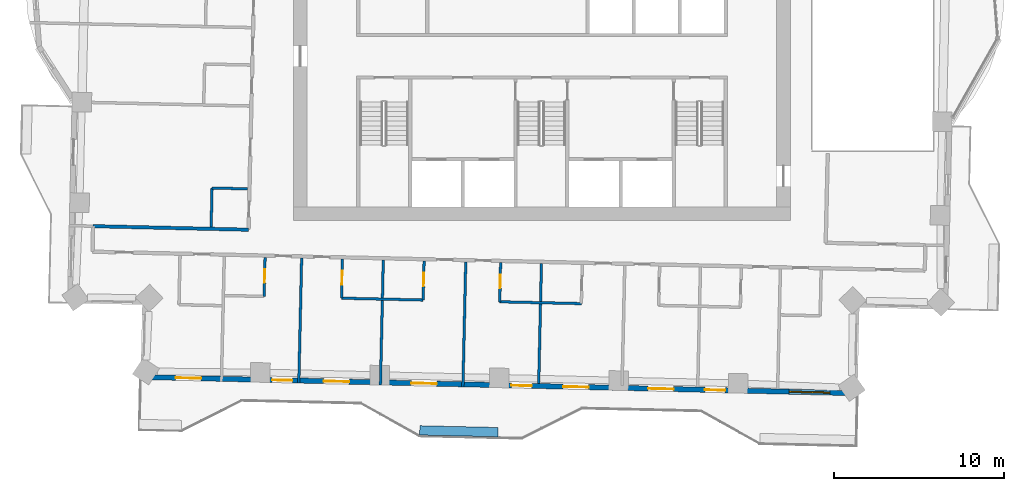
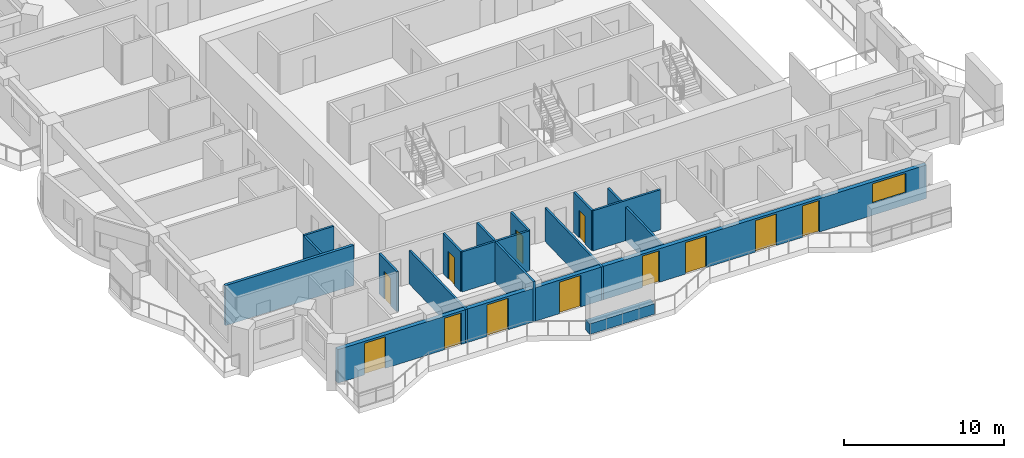
# One storey, part 6 of 16: 15 walls, 12 doors, 1 window, 13 openings.
"""IFC4 building model written with IfcOpenShell, lengths in metres."""

from ifc_helpers import new_model, si_unit, direction, frame, frame_2d, origin, place, context, subcontext, project, spatial, rectangle, extrude, material, layer, layer_set, type_object, element, fill, save


model = new_model("IFC4")

# Units and contexts
model_context = context("Model", 3, precision=1e-05, world=origin(), true_north=direction((0.0, 1.0)))
body_context = subcontext(model_context, "Body", "Model", "MODEL_VIEW")
ifc_project = project(units=[si_unit("LENGTHUNIT", "METRE"), si_unit("AREAUNIT", "SQUARE_METRE"), si_unit("VOLUMEUNIT", "CUBIC_METRE"), si_unit("PLANEANGLEUNIT", "RADIAN"), si_unit("MASSUNIT", "GRAM", prefix="KILO")], contexts=[model_context])

# Site, building, storey
site_placement = place(None, origin())
site = spatial("IfcSite", under=ifc_project, at=site_placement, CompositionType="ELEMENT")
building_placement = place(site_placement, origin())
building = spatial("IfcBuilding", under=site, at=building_placement, Name="Mangrove Gate Tower", CompositionType="ELEMENT")
storey_placement = place(building_placement, frame((0.0, 0.0, 201.5)))
storey = spatial("IfcBuildingStorey", under=building, at=storey_placement, Name="L51", CompositionType="ELEMENT", Elevation=201.5)

# Wall
ifc_material_1 = material(Name="Gypsum board on steel stud, EI 60", Category="steel")
ifc_layer_1 = layer(ifc_material_1, 0.199951171875)
ifc_layer_set_1 = layer_set([ifc_layer_1], Name="Corridor wall EI 60")
wall_type_1 = type_object("IfcWallType", Name="Corridor wall EI 60", PredefinedType="PARTITIONING", material=ifc_layer_set_1)
wall_1_placement = place(storey_placement, frame((-26.386962890625, -11.94091796875, 0.0), z_axis=(0.0, 0.0, 1.0), x_axis=(0.999741076645, -0.022754772455, 0.0)))
element("IfcWall", 1, at=wall_1_placement, inside=storey, type_object=wall_type_1, Name="WALL-L51-028", PredefinedType="PARTITIONING", context=body_context, shape_type="SweptSolid", body=[
    extrude(rectangle(XDim=9.141357421875, YDim=0.199951171875, at=frame_2d((4.57080078125, 0.0))), origin(), (0.0, 0.0, 1.0), 3.050048828125),
])

# Wall, openings, doors, window
ifc_material_2 = material(Name="Limestone", Category="masonry")
ifc_layer_2 = layer(ifc_material_2, 0.0400390625, Name="Limestone cladding")
ifc_material_3 = material(Name="Ventilated air gap")
ifc_layer_3 = layer(ifc_material_3, 0.0400390625, Name="Ventilated cavity")
ifc_material_4 = material(Name="Mineral wool insulation")
ifc_layer_4 = layer(ifc_material_4, 0.06005859375, Name="Insulation")
ifc_material_5 = material(Name="Breather membrane")
ifc_layer_5 = layer(ifc_material_5, 0.001953125, Name="Breather membrane")
ifc_material_6 = material(Name="Concrete C20/25 blockwork", Category="masonry")
ifc_layer_6 = layer(ifc_material_6, 0.14990234375, Name="Blockwork backing wall")
ifc_material_7 = material(Name="Gypsum plaster")
ifc_layer_7 = layer(ifc_material_7, 0.008056640625, Name="Internal plaster")
ifc_layer_set_2 = layer_set([ifc_layer_2, ifc_layer_3, ifc_layer_4, ifc_layer_5, ifc_layer_6, ifc_layer_7], Name="External wall 300 limestone cladding")
wall_type_2 = type_object("IfcWallType", Name="External wall 300 limestone cladding", PredefinedType="SOLIDWALL", material=ifc_layer_set_2)
wall_2_placement = place(storey_placement, frame((-23.43701171875, -20.81005859375, 0.0), z_axis=(0.0, 0.0, 1.0), x_axis=(0.999742269115, -0.022702320244, 0.0)))
wall_2 = element("IfcWall", 2, at=wall_2_placement, inside=storey, type_object=wall_type_2, Name="WALL-L51-S13", PredefinedType="SOLIDWALL", context=body_context, shape_type="SweptSolid", body=[
    extrude(rectangle(XDim=41.84375, YDim=0.300048828125, at=frame_2d((20.921875, 0.0))), origin(), (0.0, 0.0, 1.0), 2.550048828125),
])
opening_1_placement = place(wall_2_placement, frame((1.89892578125, 0.0, 0.0)))
opening_1 = element("IfcOpeningElement", 3, at=opening_1_placement, cuts=wall_2, Name="Opening BD1", PredefinedType="OPENING", context=body_context, shape_type="SweptSolid", body=[
    extrude(rectangle(XDim=1.5, YDim=2.39990234375, at=frame_2d((0.75, 1.199951171875))), frame((0.0, 0.159912109375, 0.0), z_axis=(0.0, -1.0, 0.0), x_axis=(1.0, 0.0, 0.0)), (0.0, 0.0, 1.0), 0.320068359375),
])
opening_2_placement = place(wall_2_placement, frame((7.574951171875, 0.0, 0.0)))
opening_2 = element("IfcOpeningElement", 4, at=opening_2_placement, cuts=wall_2, Name="Opening BD2", PredefinedType="OPENING", context=body_context, shape_type="SweptSolid", body=[
    extrude(rectangle(XDim=1.199951171875, YDim=2.39990234375, at=frame_2d((0.60009765625, 1.199951171875))), frame((0.0, 0.159912109375, 0.0), z_axis=(0.0, -1.0, 0.0), x_axis=(1.0, 0.0, 0.0)), (0.0, 0.0, 1.0), 0.320068359375),
])
opening_3_placement = place(wall_2_placement, frame((10.612060546875, 0.0, 0.0)))
opening_3 = element("IfcOpeningElement", 5, at=opening_3_placement, cuts=wall_2, Name="Opening BD1", PredefinedType="OPENING", context=body_context, shape_type="SweptSolid", body=[
    extrude(rectangle(XDim=1.5, YDim=2.39990234375, at=frame_2d((0.75, 1.199951171875))), frame((0.0, 0.159912109375, 0.0), z_axis=(0.0, -1.0, 0.0), x_axis=(1.0, 0.0, 0.0)), (0.0, 0.0, 1.0), 0.320068359375),
])
opening_4_placement = place(wall_2_placement, frame((15.761962890625, 0.0, 0.0)))
opening_4 = element("IfcOpeningElement", 6, at=opening_4_placement, cuts=wall_2, Name="Opening BD1", PredefinedType="OPENING", context=body_context, shape_type="SweptSolid", body=[
    extrude(rectangle(XDim=1.5, YDim=2.39990234375, at=frame_2d((0.75, 1.199951171875))), frame((0.0, 0.159912109375, 0.0), z_axis=(0.0, -1.0, 0.0), x_axis=(1.0, 0.0, 0.0)), (0.0, 0.0, 1.0), 0.320068359375),
])
opening_5_placement = place(wall_2_placement, frame((21.64794921875, 0.0, 0.0)))
opening_5 = element("IfcOpeningElement", 7, at=opening_5_placement, cuts=wall_2, Name="Opening BD2", PredefinedType="OPENING", context=body_context, shape_type="SweptSolid", body=[
    extrude(rectangle(XDim=1.199951171875, YDim=2.39990234375, at=frame_2d((0.60009765625, 1.199951171875))), frame((0.0, 0.159912109375, 0.0), z_axis=(0.0, -1.0, 0.0), x_axis=(1.0, 0.0, 0.0)), (0.0, 0.0, 1.0), 0.320068359375),
])
opening_6_placement = place(wall_2_placement, frame((24.68505859375, 0.0, 0.0)))
opening_6 = element("IfcOpeningElement", 8, at=opening_6_placement, cuts=wall_2, Name="Opening BD1", PredefinedType="OPENING", context=body_context, shape_type="SweptSolid", body=[
    extrude(rectangle(XDim=1.5, YDim=2.39990234375, at=frame_2d((0.75, 1.199951171875))), frame((0.0, 0.159912109375, 0.0), z_axis=(0.0, -1.0, 0.0), x_axis=(1.0, 0.0, 0.0)), (0.0, 0.0, 1.0), 0.320068359375),
])
opening_7_placement = place(wall_2_placement, frame((29.68505859375, 0.0, 0.0)))
opening_7 = element("IfcOpeningElement", 9, at=opening_7_placement, cuts=wall_2, Name="Opening BD1", PredefinedType="OPENING", context=body_context, shape_type="SweptSolid", body=[
    extrude(rectangle(XDim=1.5, YDim=2.39990234375, at=frame_2d((0.75, 1.199951171875))), frame((0.0, 0.159912109375, 0.0), z_axis=(0.0, -1.0, 0.0), x_axis=(1.0, 0.0, 0.0)), (0.0, 0.0, 1.0), 0.320068359375),
])
opening_8_placement = place(wall_2_placement, frame((33.02197265625, 0.0, 0.0)))
opening_8 = element("IfcOpeningElement", 10, at=opening_8_placement, cuts=wall_2, Name="Opening BD2", PredefinedType="OPENING", context=body_context, shape_type="SweptSolid", body=[
    extrude(rectangle(XDim=1.199951171875, YDim=2.39990234375, at=frame_2d((0.60009765625, 1.199951171875))), frame((0.0, 0.159912109375, 0.0), z_axis=(0.0, -1.0, 0.0), x_axis=(1.0, 0.0, 0.0)), (0.0, 0.0, 1.0), 0.320068359375),
])
opening_9_placement = place(wall_2_placement, frame((37.97412109375, 0.0, 0.89990234375)))
opening_9 = element("IfcOpeningElement", 11, at=opening_9_placement, cuts=wall_2, Name="Opening W2", PredefinedType="OPENING", context=body_context, shape_type="SweptSolid", body=[
    extrude(rectangle(XDim=2.39990234375, YDim=1.5, at=frame_2d((1.199951171875, 0.75))), frame((0.0, 0.159912109375, 0.0), z_axis=(0.0, -1.0, 0.0), x_axis=(1.0, 0.0, 0.0)), (0.0, 0.0, 1.0), 0.320068359375),
])
ifc_material_8 = material(Name="Aluminium frame with laminated clear glass", Category="aluminium")
door_type_1 = type_object("IfcDoorType", Name="Balcony sliding door 1200x2400", OperationType="SLIDING_TO_LEFT", PredefinedType="DOOR", material=ifc_material_8)
door_1_placement = place(opening_2_placement, origin())
door_1 = element("IfcDoor", 12, at=door_1_placement, inside=storey, type_object=door_type_1, Name="DOOR-L51-S13-2", OperationType="SLIDING_TO_LEFT", OverallHeight=2.39990234375, OverallWidth=1.199951171875, PredefinedType="DOOR", context=body_context, shape_type="SweptSolid", body=[
    extrude(rectangle(XDim=1.199951171875, YDim=2.39990234375, at=frame_2d((0.60009765625, 1.199951171875))), frame((0.0, 0.02490234375, 0.0), z_axis=(0.0, -1.0, 0.0), x_axis=(1.0, 0.0, 0.0)), (0.0, 0.0, 1.0), 0.050048828125),
])
fill(opening_2, door_1)
door_2_placement = place(opening_5_placement, origin())
door_2 = element("IfcDoor", 13, at=door_2_placement, inside=storey, type_object=door_type_1, Name="DOOR-L51-S13-5", OperationType="SLIDING_TO_LEFT", OverallHeight=2.39990234375, OverallWidth=1.199951171875, PredefinedType="DOOR", context=body_context, shape_type="SweptSolid", body=[
    extrude(rectangle(XDim=1.199951171875, YDim=2.39990234375, at=frame_2d((0.60009765625, 1.199951171875))), frame((0.0, 0.02490234375, 0.0), z_axis=(0.0, -1.0, 0.0), x_axis=(1.0, 0.0, 0.0)), (0.0, 0.0, 1.0), 0.050048828125),
])
fill(opening_5, door_2)
door_3_placement = place(opening_8_placement, origin())
door_3 = element("IfcDoor", 14, at=door_3_placement, inside=storey, type_object=door_type_1, Name="DOOR-L51-S13-8", OperationType="SLIDING_TO_LEFT", OverallHeight=2.39990234375, OverallWidth=1.199951171875, PredefinedType="DOOR", context=body_context, shape_type="SweptSolid", body=[
    extrude(rectangle(XDim=1.199951171875, YDim=2.39990234375, at=frame_2d((0.60009765625, 1.199951171875))), frame((0.0, 0.02490234375, 0.0), z_axis=(0.0, -1.0, 0.0), x_axis=(1.0, 0.0, 0.0)), (0.0, 0.0, 1.0), 0.050048828125),
])
fill(opening_8, door_3)
ifc_material_9 = material(Name="Aluminium frame with laminated clear glass", Category="aluminium")
door_type_2 = type_object("IfcDoorType", Name="Balcony sliding door 1500x2400", OperationType="SLIDING_TO_LEFT", PredefinedType="DOOR", material=ifc_material_9)
door_4_placement = place(opening_1_placement, origin())
door_4 = element("IfcDoor", 15, at=door_4_placement, inside=storey, type_object=door_type_2, Name="DOOR-L51-S13-1", OperationType="SLIDING_TO_LEFT", OverallHeight=2.39990234375, OverallWidth=1.5, PredefinedType="DOOR", context=body_context, shape_type="SweptSolid", body=[
    extrude(rectangle(XDim=1.5, YDim=2.39990234375, at=frame_2d((0.75, 1.199951171875))), frame((0.0, 0.02490234375, 0.0), z_axis=(0.0, -1.0, 0.0), x_axis=(1.0, 0.0, 0.0)), (0.0, 0.0, 1.0), 0.050048828125),
])
fill(opening_1, door_4)
door_5_placement = place(opening_3_placement, origin())
door_5 = element("IfcDoor", 16, at=door_5_placement, inside=storey, type_object=door_type_2, Name="DOOR-L51-S13-3", OperationType="SLIDING_TO_LEFT", OverallHeight=2.39990234375, OverallWidth=1.5, PredefinedType="DOOR", context=body_context, shape_type="SweptSolid", body=[
    extrude(rectangle(XDim=1.5, YDim=2.39990234375, at=frame_2d((0.75, 1.199951171875))), frame((0.0, 0.02490234375, 0.0), z_axis=(0.0, -1.0, 0.0), x_axis=(1.0, 0.0, 0.0)), (0.0, 0.0, 1.0), 0.050048828125),
])
fill(opening_3, door_5)
door_6_placement = place(opening_4_placement, origin())
door_6 = element("IfcDoor", 17, at=door_6_placement, inside=storey, type_object=door_type_2, Name="DOOR-L51-S13-4", OperationType="SLIDING_TO_LEFT", OverallHeight=2.39990234375, OverallWidth=1.5, PredefinedType="DOOR", context=body_context, shape_type="SweptSolid", body=[
    extrude(rectangle(XDim=1.5, YDim=2.39990234375, at=frame_2d((0.75, 1.199951171875))), frame((0.0, 0.02490234375, 0.0), z_axis=(0.0, -1.0, 0.0), x_axis=(1.0, 0.0, 0.0)), (0.0, 0.0, 1.0), 0.050048828125),
])
fill(opening_4, door_6)
door_7_placement = place(opening_6_placement, origin())
door_7 = element("IfcDoor", 18, at=door_7_placement, inside=storey, type_object=door_type_2, Name="DOOR-L51-S13-6", OperationType="SLIDING_TO_LEFT", OverallHeight=2.39990234375, OverallWidth=1.5, PredefinedType="DOOR", context=body_context, shape_type="SweptSolid", body=[
    extrude(rectangle(XDim=1.5, YDim=2.39990234375, at=frame_2d((0.75, 1.199951171875))), frame((0.0, 0.02490234375, 0.0), z_axis=(0.0, -1.0, 0.0), x_axis=(1.0, 0.0, 0.0)), (0.0, 0.0, 1.0), 0.050048828125),
])
fill(opening_6, door_7)
door_8_placement = place(opening_7_placement, origin())
door_8 = element("IfcDoor", 19, at=door_8_placement, inside=storey, type_object=door_type_2, Name="DOOR-L51-S13-7", OperationType="SLIDING_TO_LEFT", OverallHeight=2.39990234375, OverallWidth=1.5, PredefinedType="DOOR", context=body_context, shape_type="SweptSolid", body=[
    extrude(rectangle(XDim=1.5, YDim=2.39990234375, at=frame_2d((0.75, 1.199951171875))), frame((0.0, 0.02490234375, 0.0), z_axis=(0.0, -1.0, 0.0), x_axis=(1.0, 0.0, 0.0)), (0.0, 0.0, 1.0), 0.050048828125),
])
fill(opening_7, door_8)
ifc_material_10 = material(Name="Aluminium frame with double-glazed low-e glass", Category="aluminium")
window_type = type_object("IfcWindowType", Name="Corner room window 2400x1500", PartitioningType="DOUBLE_PANEL_VERTICAL", PredefinedType="WINDOW", material=ifc_material_10)
window_placement = place(opening_9_placement, origin())
window = element("IfcWindow", 20, at=window_placement, inside=storey, type_object=window_type, Name="WIN-L51-S13-9", OverallHeight=1.5, OverallWidth=2.39990234375, PartitioningType="DOUBLE_PANEL_VERTICAL", PredefinedType="WINDOW", context=body_context, shape_type="SweptSolid", body=[
    extrude(rectangle(XDim=2.39990234375, YDim=1.5, at=frame_2d((1.199951171875, 0.75))), frame((0.0, 0.030029296875, 0.0), z_axis=(0.0, -1.0, 0.0), x_axis=(1.0, 0.0, 0.0)), (0.0, 0.0, 1.0), 0.06005859375),
])
fill(opening_9, window)

# Walls
ifc_material_11 = material(Name="Gypsum board on steel stud, EI 60", Category="steel")
ifc_layer_8 = layer(ifc_material_11, 0.14990234375)
ifc_layer_set_3 = layer_set([ifc_layer_8], Name="Party wall 150 EI 60")
wall_type_3 = type_object("IfcWallType", Name="Party wall 150 EI 60", PredefinedType="PARTITIONING", material=ifc_layer_set_3)
wall_3_placement = place(storey_placement, frame((-14.291015625, -21.16796875, 0.0), z_axis=(0.0, 0.0, 1.0), x_axis=(0.022720650804, 0.999741852694, 0.0)))
element("IfcWall", 21, at=wall_3_placement, inside=storey, type_object=wall_type_3, Name="WALL-L51-002", PredefinedType="PARTITIONING", context=body_context, shape_type="SweptSolid", body=[
    extrude(rectangle(XDim=7.349853515625, YDim=0.14990234375, at=frame_2d((3.6748046875, 0.0))), origin(), (0.0, 0.0, 1.0), 2.550048828125),
])
wall_4_placement = place(storey_placement, frame((-9.491943359375, -21.277099609375, 0.0), z_axis=(0.0, 0.0, 1.0), x_axis=(0.022719896304, 0.99974186984, 0.0)))
element("IfcWall", 22, at=wall_4_placement, inside=storey, type_object=wall_type_3, Name="WALL-L51-003", PredefinedType="PARTITIONING", context=body_context, shape_type="SweptSolid", body=[
    extrude(rectangle(XDim=7.35009765625, YDim=0.14990234375, at=frame_2d((3.675048828125, 0.0))), origin(), (0.0, 0.0, 1.0), 3.050048828125),
])
wall_5_placement = place(storey_placement, frame((-4.64306640625, -21.386962890625, 0.0), z_axis=(0.0, 0.0, 1.0), x_axis=(0.022587849492, 0.99974486198, 0.0)))
element("IfcWall", 23, at=wall_5_placement, inside=storey, type_object=wall_type_3, Name="WALL-L51-004", PredefinedType="PARTITIONING", context=body_context, shape_type="SweptSolid", body=[
    extrude(rectangle(XDim=7.349853515625, YDim=0.14990234375, at=frame_2d((3.6748046875, 0.0))), origin(), (0.0, 0.0, 1.0), 2.550048828125),
])
wall_6_placement = place(storey_placement, frame((-0.18798828125, -21.18798828125, 0.0), z_axis=(0.0, 0.0, 1.0), x_axis=(0.022682859663, 0.99974271084, 0.0)))
element("IfcWall", 24, at=wall_6_placement, inside=storey, type_object=wall_type_3, Name="WALL-L51-005", PredefinedType="PARTITIONING", context=body_context, shape_type="SweptSolid", body=[
    extrude(rectangle(XDim=7.0498046875, YDim=0.14990234375, at=frame_2d((3.52490234375, 0.0))), origin(), (0.0, 0.0, 1.0), 2.550048828125),
])

# Wall, opening, door
wall_7_placement = place(storey_placement, frame((-16.325927734375, -16.070068359375, 0.0), z_axis=(0.0, 0.0, 1.0), x_axis=(0.022612884682, 0.999744296031, 0.0)))
wall_7 = element("IfcWall", 25, at=wall_7_placement, inside=storey, type_object=wall_type_3, Name="WALL-L51-014", PredefinedType="PARTITIONING", context=body_context, shape_type="SweptSolid", body=[
    extrude(rectangle(XDim=2.299560546875, YDim=0.14990234375, at=frame_2d((1.14990234375, 0.0))), origin(), (0.0, 0.0, 1.0), 3.050048828125),
])
opening_10_placement = place(wall_7_placement, frame((0.800048828125, 0.0, 0.0)))
opening_10 = element("IfcOpeningElement", 26, at=opening_10_placement, cuts=wall_7, Name="Opening ED", PredefinedType="OPENING", context=body_context, shape_type="SweptSolid", body=[
    extrude(rectangle(XDim=0.800048828125, YDim=2.10009765625, at=frame_2d((0.39990234375, 1.050048828125))), frame((0.0, 0.0849609375, 0.0), z_axis=(0.0, -1.0, 0.0), x_axis=(1.0, 0.0, 0.0)), (0.0, 0.0, 1.0), 0.169921875),
])
ifc_material_12 = material(Name="Timber door leaf", Category="wood")
door_type_3 = type_object("IfcDoorType", Name="En-suite door 800", OperationType="SINGLE_SWING_LEFT", PredefinedType="DOOR", material=ifc_material_12)
door_9_placement = place(opening_10_placement, origin())
door_9 = element("IfcDoor", 27, at=door_9_placement, inside=storey, type_object=door_type_3, Name="DOOR-L51-ENS-c101", OperationType="SINGLE_SWING_LEFT", OverallHeight=2.10009765625, OverallWidth=0.800048828125, PredefinedType="DOOR", context=body_context, shape_type="SweptSolid", body=[
    extrude(rectangle(XDim=0.800048828125, YDim=2.10009765625, at=frame_2d((0.39990234375, 1.050048828125))), frame((0.0, 0.02490234375, 0.0), z_axis=(0.0, -1.0, 0.0), x_axis=(1.0, 0.0, 0.0)), (0.0, 0.0, 1.0), 0.050048828125),
])
fill(opening_10, door_9)

# Wall
wall_8_placement = place(storey_placement, frame((-11.779052734375, -16.174072265625, 0.0), z_axis=(0.0, 0.0, 1.0), x_axis=(0.999742701292, -0.022683280499, 0.0)))
element("IfcWall", 28, at=wall_8_placement, inside=storey, type_object=wall_type_3, Name="WALL-L51-015", PredefinedType="PARTITIONING", context=body_context, shape_type="SweptSolid", body=[
    extrude(rectangle(XDim=4.80029296875, YDim=0.14990234375, at=frame_2d((2.400146484375, 0.0))), origin(), (0.0, 0.0, 1.0), 3.050048828125),
])

# Wall, opening, door
wall_9_placement = place(storey_placement, frame((-11.777099609375, -16.174072265625, 0.0), z_axis=(0.0, 0.0, 1.0), x_axis=(0.022603288534, 0.999744513037, 0.0)))
wall_9 = element("IfcWall", 29, at=wall_9_placement, inside=storey, type_object=wall_type_3, Name="WALL-L51-016", PredefinedType="PARTITIONING", context=body_context, shape_type="SweptSolid", body=[
    extrude(rectangle(XDim=2.300537109375, YDim=0.14990234375, at=frame_2d((1.150390625, 0.0))), origin(), (0.0, 0.0, 1.0), 3.050048828125),
])
opening_11_placement = place(wall_9_placement, frame((0.800048828125, 0.0, 0.0)))
opening_11 = element("IfcOpeningElement", 30, at=opening_11_placement, cuts=wall_9, Name="Opening ED", PredefinedType="OPENING", context=body_context, shape_type="SweptSolid", body=[
    extrude(rectangle(XDim=0.800048828125, YDim=2.10009765625, at=frame_2d((0.39990234375, 1.050048828125))), frame((0.0, 0.0849609375, 0.0), z_axis=(0.0, -1.0, 0.0), x_axis=(1.0, 0.0, 0.0)), (0.0, 0.0, 1.0), 0.169921875),
])
door_10_placement = place(opening_11_placement, origin())
door_10 = element("IfcDoor", 31, at=door_10_placement, inside=storey, type_object=door_type_3, Name="DOOR-L51-ENS-c102", OperationType="SINGLE_SWING_RIGHT", OverallHeight=2.10009765625, OverallWidth=0.800048828125, PredefinedType="DOOR", context=body_context, shape_type="SweptSolid", body=[
    extrude(rectangle(XDim=0.800048828125, YDim=2.10009765625, at=frame_2d((0.39990234375, 1.050048828125))), frame((0.0, 0.02490234375, 0.0), z_axis=(0.0, -1.0, 0.0), x_axis=(1.0, 0.0, 0.0)), (0.0, 0.0, 1.0), 0.050048828125),
])
fill(opening_11, door_10)

wall_10_placement = place(storey_placement, frame((-6.97802734375, -16.282958984375, 0.0), z_axis=(0.0, 0.0, 1.0), x_axis=(0.022603288534, 0.999744513037, 0.0)))
wall_10 = element("IfcWall", 32, at=wall_10_placement, inside=storey, type_object=wall_type_3, Name="WALL-L51-017", PredefinedType="PARTITIONING", context=body_context, shape_type="SweptSolid", body=[
    extrude(rectangle(XDim=2.300537109375, YDim=0.14990234375, at=frame_2d((1.150390625, 0.0))), origin(), (0.0, 0.0, 1.0), 3.050048828125),
])
opening_12_placement = place(wall_10_placement, frame((0.800048828125, 0.0, 0.0)))
opening_12 = element("IfcOpeningElement", 33, at=opening_12_placement, cuts=wall_10, Name="Opening ED", PredefinedType="OPENING", context=body_context, shape_type="SweptSolid", body=[
    extrude(rectangle(XDim=0.800048828125, YDim=2.10009765625, at=frame_2d((0.39990234375, 1.050048828125))), frame((0.0, 0.0849609375, 0.0), z_axis=(0.0, -1.0, 0.0), x_axis=(1.0, 0.0, 0.0)), (0.0, 0.0, 1.0), 0.169921875),
])
door_11_placement = place(opening_12_placement, origin())
door_11 = element("IfcDoor", 34, at=door_11_placement, inside=storey, type_object=door_type_3, Name="DOOR-L51-ENS-c103", OperationType="SINGLE_SWING_LEFT", OverallHeight=2.10009765625, OverallWidth=0.800048828125, PredefinedType="DOOR", context=body_context, shape_type="SweptSolid", body=[
    extrude(rectangle(XDim=0.800048828125, YDim=2.10009765625, at=frame_2d((0.39990234375, 1.050048828125))), frame((0.0, 0.02490234375, 0.0), z_axis=(0.0, -1.0, 0.0), x_axis=(1.0, 0.0, 0.0)), (0.0, 0.0, 1.0), 0.050048828125),
])
fill(opening_12, door_11)

# Wall
wall_11_placement = place(storey_placement, frame((-2.48095703125, -16.385009765625, 0.0), z_axis=(0.0, 0.0, 1.0), x_axis=(0.999742570398, -0.022689048768, 0.0)))
element("IfcWall", 35, at=wall_11_placement, inside=storey, type_object=wall_type_3, Name="WALL-L51-018", PredefinedType="PARTITIONING", context=body_context, shape_type="SweptSolid", body=[
    extrude(rectangle(XDim=4.799072265625, YDim=0.14990234375, at=frame_2d((2.3994140625, 0.0))), origin(), (0.0, 0.0, 1.0), 3.050048828125),
])

# Wall, opening, door
wall_12_placement = place(storey_placement, frame((-2.47900390625, -16.385009765625, 0.0), z_axis=(0.0, 0.0, 1.0), x_axis=(0.022603288534, 0.999744513037, 0.0)))
wall_12 = element("IfcWall", 36, at=wall_12_placement, inside=storey, type_object=wall_type_3, Name="WALL-L51-019", PredefinedType="PARTITIONING", context=body_context, shape_type="SweptSolid", body=[
    extrude(rectangle(XDim=2.300537109375, YDim=0.14990234375, at=frame_2d((1.150390625, 0.0))), origin(), (0.0, 0.0, 1.0), 3.050048828125),
])
opening_13_placement = place(wall_12_placement, frame((0.800048828125, 0.0, 0.0)))
opening_13 = element("IfcOpeningElement", 37, at=opening_13_placement, cuts=wall_12, Name="Opening ED", PredefinedType="OPENING", context=body_context, shape_type="SweptSolid", body=[
    extrude(rectangle(XDim=0.800048828125, YDim=2.10009765625, at=frame_2d((0.39990234375, 1.050048828125))), frame((0.0, 0.0849609375, 0.0), z_axis=(0.0, -1.0, 0.0), x_axis=(1.0, 0.0, 0.0)), (0.0, 0.0, 1.0), 0.169921875),
])
door_12_placement = place(opening_13_placement, origin())
door_12 = element("IfcDoor", 38, at=door_12_placement, inside=storey, type_object=door_type_3, Name="DOOR-L51-ENS-c204", OperationType="SINGLE_SWING_RIGHT", OverallHeight=2.10009765625, OverallWidth=0.800048828125, PredefinedType="DOOR", context=body_context, shape_type="SweptSolid", body=[
    extrude(rectangle(XDim=0.800048828125, YDim=2.10009765625, at=frame_2d((0.39990234375, 1.050048828125))), frame((0.0, 0.02490234375, 0.0), z_axis=(0.0, -1.0, 0.0), x_axis=(1.0, 0.0, 0.0)), (0.0, 0.0, 1.0), 0.050048828125),
])
fill(opening_13, door_12)

# Walls
wall_13_placement = place(storey_placement, frame((-19.444091796875, -11.9990234375, 0.0), z_axis=(0.0, 0.0, 1.0), x_axis=(0.022603288534, 0.999744513037, 0.0)))
element("IfcWall", 39, at=wall_13_placement, inside=storey, type_object=wall_type_3, Name="WALL-L51-029", PredefinedType="PARTITIONING", context=body_context, shape_type="SweptSolid", body=[
    extrude(rectangle(XDim=2.300537109375, YDim=0.14990234375, at=frame_2d((1.150390625, 0.0))), origin(), (0.0, 0.0, 1.0), 3.050048828125),
])
wall_14_placement = place(storey_placement, frame((-19.39306640625, -9.698974609375, 0.0), z_axis=(0.0, 0.0, 1.0), x_axis=(0.999737616439, -0.022906293375, 0.0)))
element("IfcWall", 40, at=wall_14_placement, inside=storey, type_object=wall_type_3, Name="WALL-L51-034", PredefinedType="PARTITIONING", context=body_context, shape_type="SweptSolid", body=[
    extrude(rectangle(XDim=2.099609375, YDim=0.14990234375, at=frame_2d((1.0498046875, 0.0))), origin(), (0.0, 0.0, 1.0), 3.050048828125),
])
ifc_material_13 = material(Name="Concrete C32/40", Category="concrete")
ifc_layer_9 = layer(ifc_material_13, 0.199951171875, Name="Planter trough wall")
ifc_material_14 = material(Name="Bituminous waterproofing membrane")
ifc_layer_10 = layer(ifc_material_14, 0.0048828125, Name="Waterproofing")
ifc_material_15 = material(Name="Drainage board and gravel")
ifc_layer_11 = layer(ifc_material_15, 0.044921875, Name="Drainage layer")
ifc_material_16 = material(Name="Planting soil")
ifc_layer_12 = layer(ifc_material_16, 0.300048828125, Name="Growing medium")
ifc_layer_set_4 = layer_set([ifc_layer_9, ifc_layer_10, ifc_layer_11, ifc_layer_12], Name="Planter wall 550 C32/40")
wall_type_4 = type_object("IfcWallType", Name="Planter wall 550 C32/40", PredefinedType="USERDEFINED", material=ifc_layer_set_4)
wall_15_placement = place(storey_placement, frame((-7.181884765625, -23.945068359375, 0.0), z_axis=(0.0, 0.0, 1.0), x_axis=(0.999744268886, -0.022614084774, 0.0)))
element("IfcWall", 41, at=wall_15_placement, inside=storey, type_object=wall_type_4, Name="PLANTER L51 S0.2", ObjectType="PLANTER", PredefinedType="USERDEFINED", context=body_context, shape_type="SweptSolid", body=[
    extrude(rectangle(XDim=4.59912109375, YDim=0.550048828125, at=frame_2d((2.299560546875, 0.0))), origin(), (0.0, 0.0, 1.0), 0.800048828125),
])

save(model, "model.ifc")
